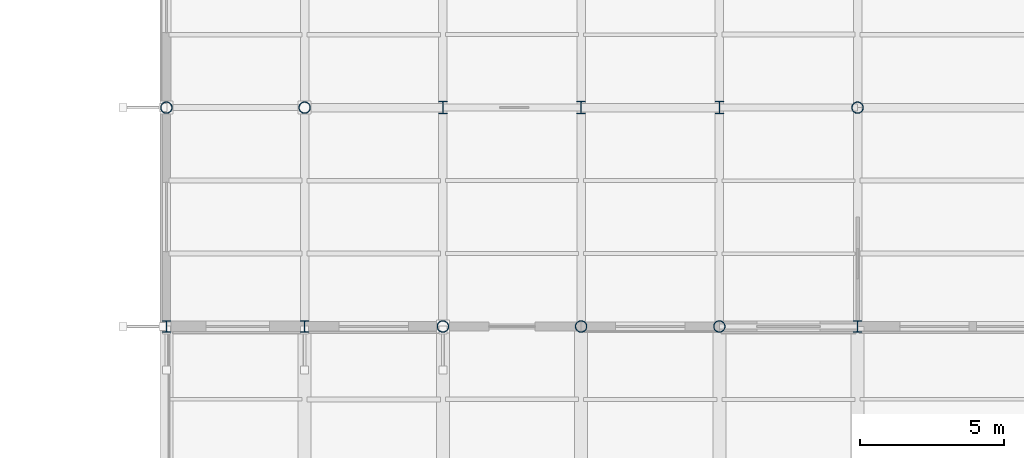
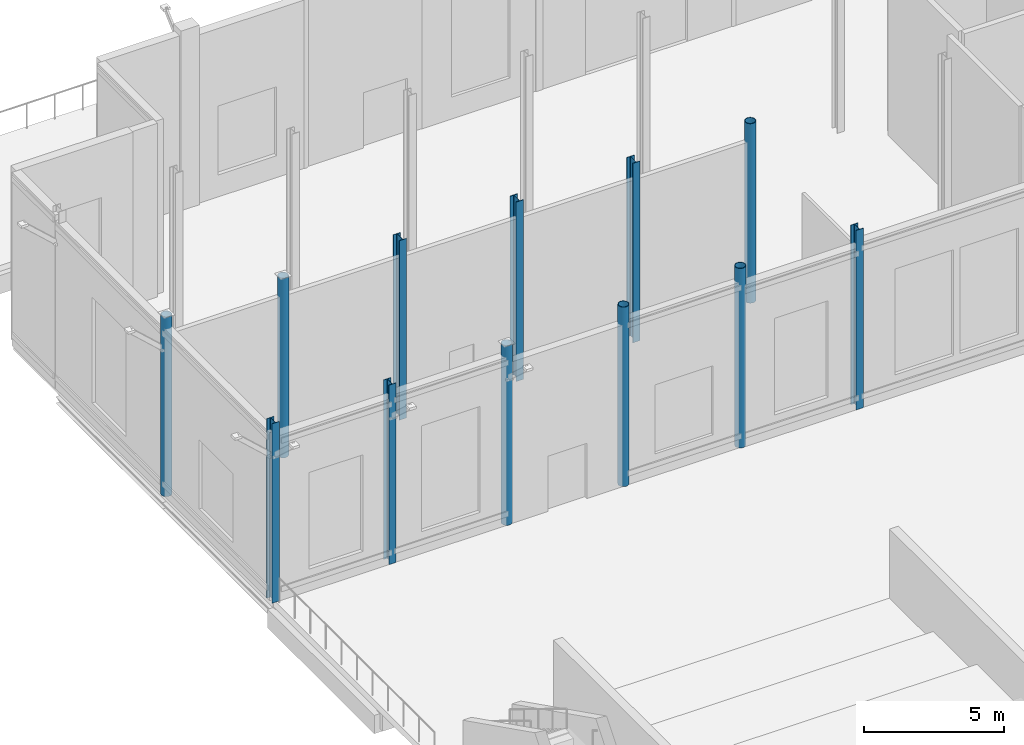
# One storey, part 10 of 176: 12 columns.
"""IFC4 building model written with IfcOpenShell, lengths in metres."""

import ifcopenshell
import ifcopenshell.guid

model = None  # the IFC model being written
_history = None  # IfcOwnerHistory: only IFC2X3 demands one
_inside = {}  # id of a spatial element -> (the spatial element, [elements in it])
_under = {}  # id of a project, library or spatial element -> (it, [spatial elements below it])
_declared = {}  # id of a project -> (the project, [libraries it declares])
_typed = {}  # id of a type object -> (the type object, [elements of that type])
_made_of = {}  # id of a material, layer set ... -> (it, [elements and type objects made of it])


def new_model(schema):
    """Start an empty IFC model of exactly this schema.

    Asked for "IFC4X3", IfcOpenShell would pick the latest addendum, in which some entities
    have other attributes; the version numbers below select the first issue.
    IFC2X3 requires an IfcOwnerHistory on every rooted entity: one is made here for all.
    """
    global model, _history
    if schema == "IFC4X3":
        model = ifcopenshell.file(schema_version=(4, 3, 0, 0))
    else:
        model = ifcopenshell.file(schema=schema)
    _inside.clear()
    _under.clear()
    _declared.clear()
    _typed.clear()
    _made_of.clear()
    _history = None
    if model.schema == "IFC2X3":
        org = make("IfcOrganization", Name="unknown")
        user = make(
            "IfcPersonAndOrganization",
            ThePerson=make("IfcPerson", FamilyName="unknown"),
            TheOrganization=org,
        )
        app = make(
            "IfcApplication",
            ApplicationDeveloper=org,
            Version="unknown",
            ApplicationFullName="unknown",
            ApplicationIdentifier="unknown",
        )
        _history = make(
            "IfcOwnerHistory",
            OwningUser=user,
            OwningApplication=app,
            ChangeAction="ADDED",
            CreationDate=0,
        )
    return model


def make(cls, **values):
    """One entity of the class cls with the attributes given. An attribute that is None is left unset."""
    return model.create_entity(
        cls, **{name: value for name, value in values.items() if value is not None}
    )


def rooted(cls, **values):
    """An entity with a GlobalId (a new one), such as an element, a storey or a relation."""
    return make(cls, GlobalId=ifcopenshell.guid.new(), OwnerHistory=_history, **values)


def si_unit(unit_type, name, prefix=None):
    """IfcSIUnit, for example si_unit("LENGTHUNIT", "METRE", prefix="MILLI")."""
    return make("IfcSIUnit", UnitType=unit_type, Prefix=prefix, Name=name)


def assignment(units):
    """IfcUnitAssignment: the units of a project."""
    return None if units is None else make("IfcUnitAssignment", Units=units)


def point(xyz):
    """IfcCartesianPoint."""
    return None if xyz is None else make("IfcCartesianPoint", Coordinates=xyz)


def direction(xyz):
    """IfcDirection."""
    return None if xyz is None else make("IfcDirection", DirectionRatios=xyz)


def frame(location, z_axis=None, x_axis=None):
    """IfcAxis2Placement3D, a coordinate frame: its origin and axes. An axis left out is left unset."""
    return make(
        "IfcAxis2Placement3D",
        Location=point(location),
        Axis=direction(z_axis),
        RefDirection=direction(x_axis),
    )


def frame_2d(location, x_axis=None):
    """IfcAxis2Placement2D, a coordinate frame in the plane: its origin and x axis."""
    return make(
        "IfcAxis2Placement2D", Location=point(location), RefDirection=direction(x_axis)
    )


def origin():
    """The frame at (0, 0, 0) with its axes left unset."""
    return frame((0.0, 0.0, 0.0))


def origin_2d():
    """The frame at (0, 0) in the plane with its x axis left unset."""
    return frame_2d((0.0, 0.0))


def place(relative_to, where):
    """IfcLocalPlacement: puts the frame where relative to a parent placement (None: the world)."""
    return make(
        "IfcLocalPlacement", PlacementRelTo=relative_to, RelativePlacement=where
    )


def context(
    kind, dimensions, precision=None, world=None, true_north=None, identifier=None
):
    """IfcGeometricRepresentationContext, for example the 3D "Model" context."""
    return make(
        "IfcGeometricRepresentationContext",
        ContextIdentifier=identifier,
        ContextType=kind,
        CoordinateSpaceDimension=dimensions,
        Precision=precision,
        WorldCoordinateSystem=world,
        TrueNorth=true_north,
    )


def subcontext(parent, identifier, kind, view, scale=None):
    """IfcGeometricRepresentationSubContext, for example "Body" below "Model"."""
    return make(
        "IfcGeometricRepresentationSubContext",
        ContextIdentifier=identifier,
        ContextType=kind,
        ParentContext=parent,
        TargetScale=scale,
        TargetView=view,
    )


def project(units=None, contexts=None):
    """IfcProject with its units and contexts."""
    return rooted(
        "IfcProject",
        Name="project",
        RepresentationContexts=contexts,
        UnitsInContext=assignment(units),
    )


def spatial(cls, under=None, at=None, **own):
    """A site, building, storey or space (cls), placed at a placement, below another one or the project."""
    s = rooted(cls, ObjectPlacement=at, **own)
    if under is not None:
        _under.setdefault(under.id(), (under, []))[1].append(s)
    return s


def profile(cls, at=None, kind="AREA", **sizes):
    """A parametric profile (cls). Its sizes go by their IFC names, for example OverallWidth=200.0."""
    return make(cls, ProfileType=kind, Position=at, **sizes)


def hollow_circle(**sizes):
    """IfcCircleHollowProfileDef."""
    return profile("IfcCircleHollowProfileDef", **sizes)


def i_section(**sizes):
    """IfcIShapeProfileDef."""
    return profile("IfcIShapeProfileDef", **sizes)


def extrude(swept, where, along, depth):
    """IfcExtrudedAreaSolid: the profile swept, set in the frame where, extruded along a direction by depth."""
    return make(
        "IfcExtrudedAreaSolid",
        SweptArea=swept,
        Position=where,
        ExtrudedDirection=direction(along),
        Depth=depth,
    )


def shape(context_of_items, identifier, shape_type, items):
    """IfcShapeRepresentation: the items that make up one representation, for example the "Body"."""
    return make(
        "IfcShapeRepresentation",
        ContextOfItems=context_of_items,
        RepresentationIdentifier=identifier,
        RepresentationType=shape_type,
        Items=items,
    )


def material(Name=None, Category=None):
    """IfcMaterial."""
    return make("IfcMaterial", Name=Name, Category=Category)


def material_profile(
    of_material, cross_section, Name=None, Category=None, Priority=None
):
    """IfcMaterialProfile: a cross section and its material."""
    return make(
        "IfcMaterialProfile",
        Name=Name,
        Material=of_material,
        Profile=cross_section,
        Priority=Priority,
        Category=Category,
    )


def profile_set(profiles, Name=None, composite=None):
    """IfcMaterialProfileSet."""
    return make(
        "IfcMaterialProfileSet",
        Name=Name,
        MaterialProfiles=profiles,
        CompositeProfile=composite,
    )


def made_of(thing, what):
    """Note that an element or type object is made of a material, layer set ...; save() writes the relation."""
    if what is not None:
        _made_of.setdefault(what.id(), (what, []))[1].append(thing)
    return thing


def type_object(cls, material=None, **own):
    """A type object (cls), such as IfcWallType, which elements share."""
    return made_of(rooted(cls, **own), material)


def element(
    cls,
    number,
    at=None,
    inside=None,
    cuts=None,
    type_object=None,
    material=None,
    context=None,
    identifier="Body",
    shape_type=None,
    held_by="IfcProductDefinitionShape",
    body=None,
    shapes=None,
    **own,
):
    """One element of the class cls, such as IfcWall. Its Tag is "e" and its number.

    at: its placement. inside: the storey or other place that contains it. cuts: it is an
    opening in that element (IfcRelVoidsElement). A single representation is given by context,
    identifier, shape_type and body (its items); several are given by shapes. held_by: the class
    of the entity that holds the representations. save() writes the other relations.
    """
    e = rooted(cls, Tag="e%d" % number, ObjectPlacement=at, **own)
    if body is not None:
        shapes = [shape(context, identifier, shape_type, body)]
    if shapes is not None:
        e.Representation = make(held_by, Representations=shapes)
    if inside is not None:
        _inside.setdefault(inside.id(), (inside, []))[1].append(e)
    if cuts is not None:
        rooted(
            "IfcRelVoidsElement", RelatingBuildingElement=cuts, RelatedOpeningElement=e
        )
    if type_object is not None:
        _typed.setdefault(type_object.id(), (type_object, []))[1].append(e)
    return made_of(e, material)


def aggregate(whole, parts):
    """IfcRelAggregates: a whole, such as a stair, and the parts it consists of."""
    return rooted("IfcRelAggregates", RelatingObject=whole, RelatedObjects=parts)


def save(model, path):
    """Write the relations noted so far, then the file.

    IfcRelAggregates (storeys below a building ...), IfcRelContainedInSpatialStructure (elements
    in a storey), IfcRelDefinesByType, IfcRelAssociatesMaterial and IfcRelDeclares: one each for
    every whole, place, type object, material and project.
    """
    for whole, parts in _under.values():
        aggregate(whole, parts)
    for where, things in _inside.values():
        rooted(
            "IfcRelContainedInSpatialStructure",
            RelatedElements=things,
            RelatingStructure=where,
        )
    for kind, things in _typed.values():
        rooted("IfcRelDefinesByType", RelatedObjects=things, RelatingType=kind)
    for what, things in _made_of.values():
        rooted("IfcRelAssociatesMaterial", RelatedObjects=things, RelatingMaterial=what)
    for by, libraries in _declared.values():
        rooted("IfcRelDeclares", RelatingContext=by, RelatedDefinitions=libraries)
    model.write(path)


model = new_model("IFC4")

# Units and contexts
model_context = context("Model", 3, precision=1e-05, world=origin(), true_north=direction((0.0, 1.0)))
body_context = subcontext(model_context, "Body", "Model", "MODEL_VIEW")
ifc_project = project(units=[si_unit("LENGTHUNIT", "METRE"), si_unit("AREAUNIT", "SQUARE_METRE"), si_unit("VOLUMEUNIT", "CUBIC_METRE"), si_unit("PLANEANGLEUNIT", "RADIAN"), si_unit("MASSUNIT", "GRAM", prefix="KILO")], contexts=[model_context])

# Site, building, storey
site_placement = place(None, origin())
site = spatial("IfcSite", under=ifc_project, at=site_placement, CompositionType="ELEMENT")
building_placement = place(site_placement, origin())
building = spatial("IfcBuilding", under=site, at=building_placement, Name="Vekula Escarpment Museum", CompositionType="ELEMENT")
storey_placement = place(building_placement, origin())
storey = spatial("IfcBuildingStorey", under=building, at=storey_placement, Name="L01", CompositionType="ELEMENT", Elevation=0.0)

# Columns
ifc_material_1 = material(Name="Steel S355", Category="steel")
ifc_material_profile_1 = material_profile(ifc_material_1, hollow_circle(Radius=0.203125, WallThickness=0.02001953125, at=origin_2d()), Name="CHS 406.4x20")
ifc_profile_set_1 = profile_set([ifc_material_profile_1], Name="Steel S355")
column_type_1 = type_object("IfcColumnType", Name="COL-S-CHS406", PredefinedType="COLUMN", material=ifc_profile_set_1)
for number, where, z_axis, x_axis, name in (
    (1, (0.0, 120.800048828125, 0.0), (0.0, 0.0, 1.0), (1.0, 0.0, 0.0), "Column L01 (0.0,120.8)"),
    (2, (4.800048828125, 120.800048828125, 0.0), (0.0, 0.0, 1.0), (1.0, 0.0, 0.0), "Column L01 (4.8,120.8)"),
    (3, (9.60009765625, 113.199951171875, 0.0), (0.0, 0.0, 1.0), (1.0, 0.0, 0.0), "Column L01 (9.6,113.2)"),
    (4, (14.39990234375, 113.199951171875, 0.0), (0.0, 0.0, 1.0), (1.0, 0.0, 0.0), "Column L01 (14.4,113.2)"),
    (5, (19.199951171875, 113.199951171875, 0.0), (0.0, 0.0, 1.0), (1.0, 0.0, 0.0), "Column L01 (19.2,113.2)"),
    (6, (24.0, 120.800048828125, 0.0), (0.0, 0.0, 1.0), (1.0, 0.0, 0.0), "Column L01 (24.0,120.8)"),
):
    element("IfcColumn", number, at=place(storey_placement, frame(where, z_axis=z_axis, x_axis=x_axis)), inside=storey, type_object=column_type_1, Name=name, PredefinedType="COLUMN", context=body_context, shape_type="SweptSolid", body=[
        extrude(hollow_circle(Radius=0.203125, WallThickness=0.02001953125, at=origin_2d()), origin(), (0.0, 0.0, 1.0), 7.800048828125),
    ])
ifc_material_2 = material(Name="Steel S355", Category="steel")
ifc_material_profile_2 = material_profile(ifc_material_2, i_section(OverallWidth=0.300048828125, OverallDepth=0.389892578125, WebThickness=0.010986328125, FlangeThickness=0.01904296875, FilletRadius=0.027099609375, at=origin_2d()), Name="HEA 400")
ifc_profile_set_2 = profile_set([ifc_material_profile_2], Name="Steel S355")
column_type_2 = type_object("IfcColumnType", Name="COL-S-HEA400", PredefinedType="COLUMN", material=ifc_profile_set_2)
for number, where, z_axis, x_axis, name in (
    (7, (0.0, 113.199951171875, 0.0), (0.0, 0.0, 1.0), (1.0, 0.0, 0.0), "Column L01 (0.0,113.2)"),
    (8, (4.800048828125, 113.199951171875, 0.0), (0.0, 0.0, 1.0), (1.0, 0.0, 0.0), "Column L01 (4.8,113.2)"),
    (9, (24.0, 113.199951171875, 0.0), (0.0, 0.0, 1.0), (1.0, 0.0, 0.0), "Column L01 (24.0,113.2)"),
):
    element("IfcColumn", number, at=place(storey_placement, frame(where, z_axis=z_axis, x_axis=x_axis)), inside=storey, type_object=column_type_2, Name=name, PredefinedType="COLUMN", context=body_context, shape_type="SweptSolid", body=[
        extrude(i_section(OverallWidth=0.300048828125, OverallDepth=0.389892578125, WebThickness=0.010986328125, FlangeThickness=0.01904296875, FilletRadius=0.027099609375, at=origin_2d()), origin(), (0.0, 0.0, 1.0), 7.800048828125),
    ])
ifc_material_3 = material(Name="Steel S355", Category="steel")
ifc_material_profile_3 = material_profile(ifc_material_3, i_section(OverallWidth=0.300048828125, OverallDepth=0.43994140625, WebThickness=0.011474609375, FlangeThickness=0.02099609375, FilletRadius=0.027099609375, at=origin_2d()), Name="HEA 450")
ifc_profile_set_3 = profile_set([ifc_material_profile_3], Name="Steel S355")
column_type_3 = type_object("IfcColumnType", Name="COL-S-HEA450", PredefinedType="COLUMN", material=ifc_profile_set_3)
for number, where, z_axis, x_axis, name in (
    (10, (9.60009765625, 120.800048828125, 0.0), (0.0, 0.0, 1.0), (1.0, 0.0, 0.0), "Column L01 (9.6,120.8)"),
    (11, (14.39990234375, 120.800048828125, 0.0), (0.0, 0.0, 1.0), (1.0, 0.0, 0.0), "Column L01 (14.4,120.8)"),
    (12, (19.199951171875, 120.800048828125, 0.0), (0.0, 0.0, 1.0), (1.0, 0.0, 0.0), "Column L01 (19.2,120.8)"),
):
    element("IfcColumn", number, at=place(storey_placement, frame(where, z_axis=z_axis, x_axis=x_axis)), inside=storey, type_object=column_type_3, Name=name, PredefinedType="COLUMN", context=body_context, shape_type="SweptSolid", body=[
        extrude(i_section(OverallWidth=0.300048828125, OverallDepth=0.43994140625, WebThickness=0.011474609375, FlangeThickness=0.02099609375, FilletRadius=0.027099609375, at=origin_2d()), origin(), (0.0, 0.0, 1.0), 7.800048828125),
    ])

save(model, "model.ifc")
